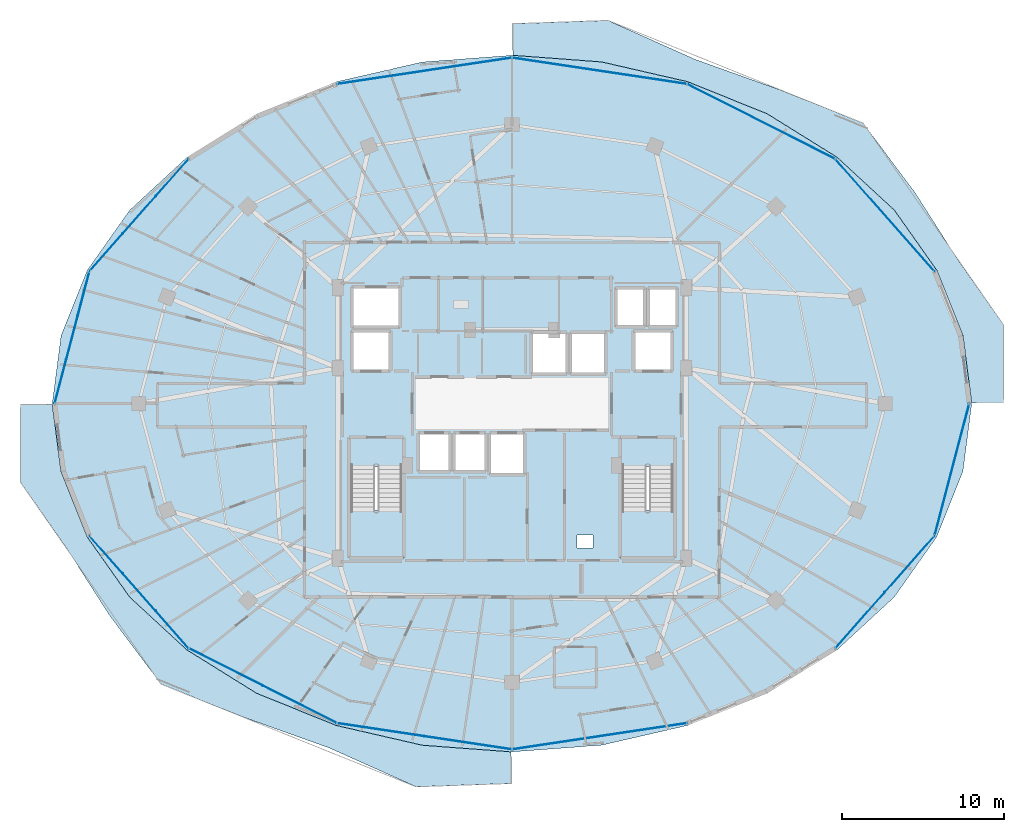
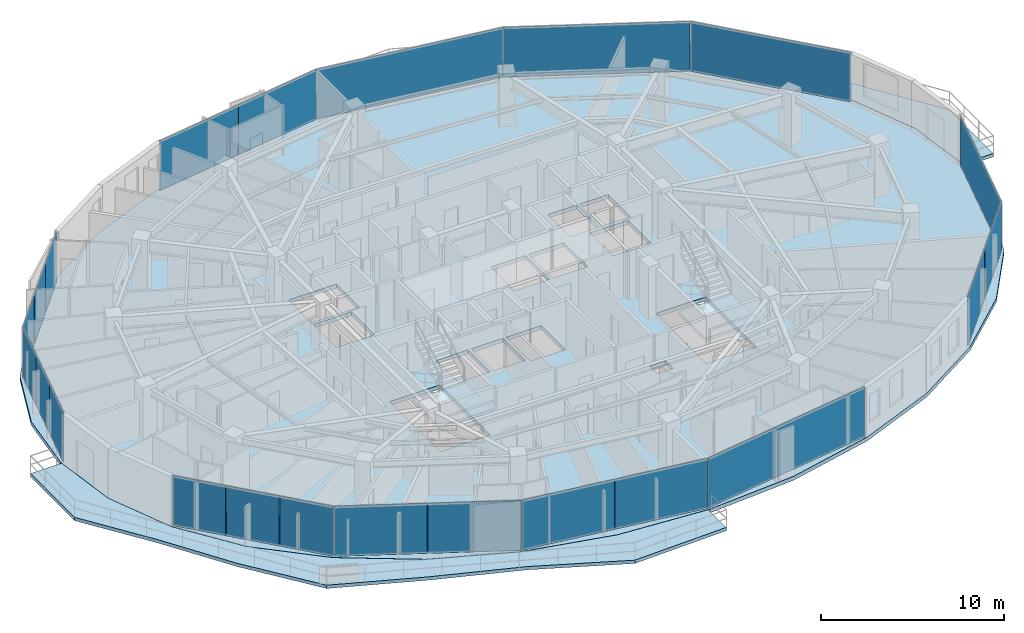
# One storey, part 23 of 33: 22 plates, 5 slabs, 6 elements without a shape of their own.
"""IFC4 building model written with IfcOpenShell, lengths in metres."""

from ifc_helpers import new_model, si_unit, direction, frame, origin, origin_2d, place, context, subcontext, project, spatial, polyline, rectangle, outline, extrude, material, layer, layer_set, type_object, element, aggregate, save


model = new_model("IFC4")

# Units and contexts
model_context = context("Model", 3, precision=1e-05, world=origin(), true_north=direction((0.0, 1.0)))
body_context = subcontext(model_context, "Body", "Model", "MODEL_VIEW")
ifc_project = project(units=[si_unit("LENGTHUNIT", "METRE"), si_unit("AREAUNIT", "SQUARE_METRE"), si_unit("VOLUMEUNIT", "CUBIC_METRE"), si_unit("PLANEANGLEUNIT", "RADIAN"), si_unit("MASSUNIT", "GRAM", prefix="KILO")], contexts=[model_context])

# Site, building, storey
site_placement = place(None, origin())
site = spatial("IfcSite", under=ifc_project, at=site_placement, CompositionType="ELEMENT")
building_placement = place(site_placement, origin())
building = spatial("IfcBuilding", under=site, at=building_placement, Name="Vorneva Point Tower", CompositionType="ELEMENT")
storey_placement = place(building_placement, frame((0.0, 0.0, 200.10009765625)))
storey = spatial("IfcBuildingStorey", under=building, at=storey_placement, Name="L54", CompositionType="ELEMENT", Elevation=200.10009765625)

# Curtain wall, plates
ifc_material_1 = material(Name="Pale anodised aluminium", Category="aluminium")
curtain_wall_type = type_object("IfcCurtainWallType", Name="CW-RES-SYS", PredefinedType="NOTDEFINED", material=ifc_material_1)
curtain_wall_1_placement = place(storey_placement, origin())
curtain_wall_1 = element("IfcCurtainWall", 1, at=curtain_wall_1_placement, inside=storey, type_object=curtain_wall_type, Name="L54 Unitised Curtain Wall CW-L54-R01", PredefinedType="NOTDEFINED")
ifc_material_2 = material(Name="Double low-e laminated glass IGU", Category="glass")
ifc_layer_1 = layer(ifc_material_2, 0.035888671875)
ifc_layer_set_1 = layer_set([ifc_layer_1], Name="Double low-e laminated glass IGU")
plate_type = type_object("IfcPlateType", Name="CW-PNL-VIS", PredefinedType="CURTAIN_PANEL", material=ifc_layer_set_1)
plate_1_placement = place(storey_placement, frame((61.021484375, 37.633544921875, -0.02001953125), z_axis=(0.0, 0.0, 1.0), x_axis=(-0.662110096764, 0.74940657841, 0.0)))
plate_1 = element("IfcPlate", 2, at=plate_1_placement, type_object=plate_type, Name="CW-L54-R01 Glazed Panel 01", PredefinedType="CURTAIN_PANEL", context=body_context, shape_type="SweptSolid", body=[
    extrude(rectangle(XDim=9.1923828125, YDim=0.035888671875, at=origin_2d()), origin(), (0.0, 0.0, 1.0), 3.330078125),
])
plate_2_placement = place(storey_placement, frame((53.38232421875, 43.410888671875, -0.02001953125), z_axis=(0.0, 0.0, 1.0), x_axis=(-0.892514983762, 0.451017742179, 0.0)))
plate_2 = element("IfcPlate", 3, at=plate_2_placement, type_object=plate_type, Name="CW-L54-R01 Glazed Panel 02", PredefinedType="CURTAIN_PANEL", context=body_context, shape_type="SweptSolid", body=[
    extrude(rectangle(XDim=10.21142578125, YDim=0.035888671875, at=origin_2d()), origin(), (0.0, 0.0, 1.0), 3.330078125),
])
plate_3_placement = place(storey_placement, frame((43.401611328125, 46.537353515625, -0.02001953125), z_axis=(0.0, 0.0, 1.0), x_axis=(-0.988873520862, 0.148758729957, 0.0)))
plate_3 = element("IfcPlate", 4, at=plate_3_placement, type_object=plate_type, Name="CW-L54-R01 Glazed Panel 03", PredefinedType="CURTAIN_PANEL", context=body_context, shape_type="SweptSolid", body=[
    extrude(rectangle(XDim=10.874755859375, YDim=0.035888671875, at=origin_2d()), origin(), (0.0, 0.0, 1.0), 3.330078125),
])
plate_4_placement = place(storey_placement, frame((35.29931640625, 46.943603515625, -0.02001953125), z_axis=(0.0, 0.0, 1.0), x_axis=(-0.988873520862, -0.148758729957, 0.0)))
plate_4 = element("IfcPlate", 5, at=plate_4_placement, type_object=plate_type, Name="CW-L54-R01 Glazed Panel 04A", PredefinedType="CURTAIN_PANEL", context=body_context, shape_type="SweptSolid", body=[
    extrude(rectangle(XDim=5.412353515625, YDim=0.035888671875, at=origin_2d()), origin(), (0.0, 0.0, 1.0), 3.330078125),
])
plate_5_placement = place(storey_placement, frame((29.897705078125, 46.131103515625, -0.02001953125), z_axis=(0.0, 0.0, 1.0), x_axis=(-0.988873520862, -0.148758729957, 0.0)))
plate_5 = element("IfcPlate", 6, at=plate_5_placement, type_object=plate_type, Name="CW-L54-R01 Glazed Panel 04B", PredefinedType="CURTAIN_PANEL", context=body_context, shape_type="SweptSolid", body=[
    extrude(rectangle(XDim=5.412353515625, YDim=0.035888671875, at=origin_2d()), origin(), (0.0, 0.0, 1.0), 3.330078125),
])
aggregate(curtain_wall_1, [plate_1, plate_2, plate_3, plate_4, plate_5])

curtain_wall_2_placement = place(storey_placement, origin())
curtain_wall_2 = element("IfcCurtainWall", 7, at=curtain_wall_2_placement, inside=storey, type_object=curtain_wall_type, Name="L54 Unitised Curtain Wall CW-L54-R02", PredefinedType="NOTDEFINED")
plate_6_placement = place(storey_placement, frame((17.0185546875, 39.9423828125, -0.02001953125), z_axis=(0.0, 0.0, 1.0), x_axis=(-0.662110096764, -0.74940657841, 0.0)))
plate_6 = element("IfcPlate", 8, at=plate_6_placement, type_object=plate_type, Name="CW-L54-R02 Glazed Panel 01A", PredefinedType="CURTAIN_PANEL", context=body_context, shape_type="SweptSolid", body=[
    extrude(rectangle(XDim=3.03076171875, YDim=0.035888671875, at=origin_2d()), origin(), (0.0, 0.0, 1.0), 3.330078125),
])
plate_7_placement = place(storey_placement, frame((14.978759765625, 37.633544921875, -0.02001953125), z_axis=(0.0, 0.0, 1.0), x_axis=(-0.662110096764, -0.74940657841, 0.0)))
plate_7 = element("IfcPlate", 9, at=plate_7_placement, type_object=plate_type, Name="CW-L54-R02 Glazed Panel 01B", PredefinedType="CURTAIN_PANEL", context=body_context, shape_type="SweptSolid", body=[
    extrude(rectangle(XDim=3.03076171875, YDim=0.035888671875, at=origin_2d()), origin(), (0.0, 0.0, 1.0), 3.330078125),
])
plate_8_placement = place(storey_placement, frame((12.938720703125, 35.32470703125, -0.02001953125), z_axis=(0.0, 0.0, 1.0), x_axis=(-0.662110096764, -0.74940657841, 0.0)))
plate_8 = element("IfcPlate", 10, at=plate_8_placement, type_object=plate_type, Name="CW-L54-R02 Glazed Panel 01C", PredefinedType="CURTAIN_PANEL", context=body_context, shape_type="SweptSolid", body=[
    extrude(rectangle(XDim=3.03076171875, YDim=0.035888671875, at=origin_2d()), origin(), (0.0, 0.0, 1.0), 3.330078125),
])
plate_9_placement = place(storey_placement, frame((11.560791015625, 32.80859375, -0.02001953125), z_axis=(0.0, 0.0, 1.0), x_axis=(-0.254365646708, -0.967108121036, 0.0)))
plate_9 = element("IfcPlate", 11, at=plate_9_placement, type_object=plate_type, Name="CW-L54-R02 Glazed Panel 02A", PredefinedType="CURTAIN_PANEL", context=body_context, shape_type="SweptSolid", body=[
    extrude(rectangle(XDim=2.76611328125, YDim=0.035888671875, at=origin_2d()), origin(), (0.0, 0.0, 1.0), 3.330078125),
])
plate_10_placement = place(storey_placement, frame((10.844482421875, 30.085205078125, -0.02001953125), z_axis=(0.0, 0.0, 1.0), x_axis=(-0.254365646708, -0.967108121036, 0.0)))
plate_10 = element("IfcPlate", 12, at=plate_10_placement, type_object=plate_type, Name="CW-L54-R02 Glazed Panel 02B", PredefinedType="CURTAIN_PANEL", context=body_context, shape_type="SweptSolid", body=[
    extrude(rectangle(XDim=2.76611328125, YDim=0.035888671875, at=origin_2d()), origin(), (0.0, 0.0, 1.0), 3.330078125),
])
plate_11_placement = place(storey_placement, frame((10.128173828125, 27.36181640625, -0.02001953125), z_axis=(0.0, 0.0, 1.0), x_axis=(-0.254365646708, -0.967108121036, 0.0)))
plate_11 = element("IfcPlate", 13, at=plate_11_placement, type_object=plate_type, Name="CW-L54-R02 Glazed Panel 02C", PredefinedType="CURTAIN_PANEL", context=body_context, shape_type="SweptSolid", body=[
    extrude(rectangle(XDim=2.76611328125, YDim=0.035888671875, at=origin_2d()), origin(), (0.0, 0.0, 1.0), 3.330078125),
])
aggregate(curtain_wall_2, [plate_6, plate_7, plate_8, plate_9, plate_10, plate_11])

curtain_wall_3_placement = place(storey_placement, origin())
curtain_wall_3 = element("IfcCurtainWall", 14, at=curtain_wall_3_placement, inside=storey, type_object=curtain_wall_type, Name="L54 Unitised Curtain Wall CW-L54-R03", PredefinedType="NOTDEFINED")
plate_12_placement = place(storey_placement, frame((12.938720703125, 16.67529296875, -0.02001953125), z_axis=(0.0, 0.0, 1.0), x_axis=(0.662110096764, -0.74940657841, 0.0)))
plate_12 = element("IfcPlate", 15, at=plate_12_placement, type_object=plate_type, Name="CW-L54-R03 Glazed Panel 01A", PredefinedType="CURTAIN_PANEL", context=body_context, shape_type="SweptSolid", body=[
    extrude(rectangle(XDim=3.03076171875, YDim=0.035888671875, at=origin_2d()), origin(), (0.0, 0.0, 1.0), 3.330078125),
])
plate_13_placement = place(storey_placement, frame((14.978759765625, 14.366455078125, -0.02001953125), z_axis=(0.0, 0.0, 1.0), x_axis=(0.662110096764, -0.74940657841, 0.0)))
plate_13 = element("IfcPlate", 16, at=plate_13_placement, type_object=plate_type, Name="CW-L54-R03 Glazed Panel 01B", PredefinedType="CURTAIN_PANEL", context=body_context, shape_type="SweptSolid", body=[
    extrude(rectangle(XDim=3.03076171875, YDim=0.035888671875, at=origin_2d()), origin(), (0.0, 0.0, 1.0), 3.330078125),
])
plate_14_placement = place(storey_placement, frame((17.0185546875, 12.0576171875, -0.02001953125), z_axis=(0.0, 0.0, 1.0), x_axis=(0.662110096764, -0.74940657841, 0.0)))
plate_14 = element("IfcPlate", 17, at=plate_14_placement, type_object=plate_type, Name="CW-L54-R03 Glazed Panel 01C", PredefinedType="CURTAIN_PANEL", context=body_context, shape_type="SweptSolid", body=[
    extrude(rectangle(XDim=3.03076171875, YDim=0.035888671875, at=origin_2d()), origin(), (0.0, 0.0, 1.0), 3.330078125),
])
plate_15_placement = place(storey_placement, frame((20.327880859375, 9.746337890625, -0.02001953125), z_axis=(0.0, 0.0, 1.0), x_axis=(0.892514983762, -0.451017742179, 0.0)))
plate_15 = element("IfcPlate", 18, at=plate_15_placement, type_object=plate_type, Name="CW-L54-R03 Glazed Panel 02A", PredefinedType="CURTAIN_PANEL", context=body_context, shape_type="SweptSolid", body=[
    extrude(rectangle(XDim=5.080810546875, YDim=0.035888671875, at=origin_2d()), origin(), (0.0, 0.0, 1.0), 3.330078125),
])
plate_16_placement = place(storey_placement, frame((24.9072265625, 7.43212890625, -0.02001953125), z_axis=(0.0, 0.0, 1.0), x_axis=(0.892514983762, -0.451017742179, 0.0)))
plate_16 = element("IfcPlate", 19, at=plate_16_placement, type_object=plate_type, Name="CW-L54-R03 Glazed Panel 02B", PredefinedType="CURTAIN_PANEL", context=body_context, shape_type="SweptSolid", body=[
    extrude(rectangle(XDim=5.080810546875, YDim=0.035888671875, at=origin_2d()), origin(), (0.0, 0.0, 1.0), 3.330078125),
])
plate_17_placement = place(storey_placement, frame((29.897705078125, 5.868896484375, -0.02001953125), z_axis=(0.0, 0.0, 1.0), x_axis=(0.988873520862, -0.148758729957, 0.0)))
plate_17 = element("IfcPlate", 20, at=plate_17_placement, type_object=plate_type, Name="CW-L54-R03 Glazed Panel 03A", PredefinedType="CURTAIN_PANEL", context=body_context, shape_type="SweptSolid", body=[
    extrude(rectangle(XDim=5.412353515625, YDim=0.035888671875, at=origin_2d()), origin(), (0.0, 0.0, 1.0), 3.330078125),
])
plate_18_placement = place(storey_placement, frame((35.29931640625, 5.056396484375, -0.02001953125), z_axis=(0.0, 0.0, 1.0), x_axis=(0.988873520862, -0.148758729957, 0.0)))
plate_18 = element("IfcPlate", 21, at=plate_18_placement, type_object=plate_type, Name="CW-L54-R03 Glazed Panel 03B", PredefinedType="CURTAIN_PANEL", context=body_context, shape_type="SweptSolid", body=[
    extrude(rectangle(XDim=5.412353515625, YDim=0.035888671875, at=origin_2d()), origin(), (0.0, 0.0, 1.0), 3.330078125),
])
plate_19_placement = place(storey_placement, frame((43.401611328125, 5.462646484375, -0.02001953125), z_axis=(0.0, 0.0, 1.0), x_axis=(0.988873520862, 0.148758729957, 0.0)))
plate_19 = element("IfcPlate", 22, at=plate_19_placement, type_object=plate_type, Name="CW-L54-R03 Glazed Panel 04", PredefinedType="CURTAIN_PANEL", context=body_context, shape_type="SweptSolid", body=[
    extrude(rectangle(XDim=10.874755859375, YDim=0.035888671875, at=origin_2d()), origin(), (0.0, 0.0, 1.0), 3.330078125),
])
aggregate(curtain_wall_3, [plate_12, plate_13, plate_14, plate_15, plate_16, plate_17, plate_18, plate_19])

curtain_wall_4_placement = place(storey_placement, origin())
curtain_wall_4 = element("IfcCurtainWall", 23, at=curtain_wall_4_placement, inside=storey, type_object=curtain_wall_type, Name="L54 Unitised Curtain Wall CW-L54-R04", PredefinedType="NOTDEFINED")
plate_20_placement = place(storey_placement, frame((59.491455078125, 12.635009765625, -0.02001953125), z_axis=(0.0, 0.0, 1.0), x_axis=(0.662110096764, 0.74940657841, 0.0)))
plate_20 = element("IfcPlate", 24, at=plate_20_placement, type_object=plate_type, Name="CW-L54-R04 Glazed Panel 01A", PredefinedType="CURTAIN_PANEL", context=body_context, shape_type="SweptSolid", body=[
    extrude(rectangle(XDim=4.5712890625, YDim=0.035888671875, at=origin_2d()), origin(), (0.0, 0.0, 1.0), 3.330078125),
])
plate_21_placement = place(storey_placement, frame((62.55126953125, 16.09814453125, -0.02001953125), z_axis=(0.0, 0.0, 1.0), x_axis=(0.662110096764, 0.74940657841, 0.0)))
plate_21 = element("IfcPlate", 25, at=plate_21_placement, type_object=plate_type, Name="CW-L54-R04 Glazed Panel 01B", PredefinedType="CURTAIN_PANEL", context=body_context, shape_type="SweptSolid", body=[
    extrude(rectangle(XDim=4.5712890625, YDim=0.035888671875, at=origin_2d()), origin(), (0.0, 0.0, 1.0), 3.330078125),
])
plate_22_placement = place(storey_placement, frame((65.155517578125, 21.914794921875, -0.02001953125), z_axis=(0.0, 0.0, 1.0), x_axis=(0.254365646708, 0.967108121036, 0.0)))
plate_22 = element("IfcPlate", 26, at=plate_22_placement, type_object=plate_type, Name="CW-L54-R04 Glazed Panel 02", PredefinedType="CURTAIN_PANEL", context=body_context, shape_type="SweptSolid", body=[
    extrude(rectangle(XDim=8.398193359375, YDim=0.035888671875, at=origin_2d()), origin(), (0.0, 0.0, 1.0), 3.330078125),
])
aggregate(curtain_wall_4, [plate_20, plate_21, plate_22])

# Slabs
ifc_material_3 = material(Name="Concrete B50 (C40/50)", Category="concrete")
ifc_layer_2 = layer(ifc_material_3, 0.219970703125)
ifc_layer_set_2 = layer_set([ifc_layer_2], Name="Concrete B50 (C40/50)")
slab_type_1 = type_object("IfcSlabType", Name="SLB-BAL-220", PredefinedType="FLOOR", material=ifc_layer_set_2)
slab_1_placement = place(storey_placement, frame((0.0, 0.0, -0.22021484375)))
element("IfcSlab", 27, at=slab_1_placement, inside=storey, type_object=slab_type_1, Name="L54 Cantilevered Wave Balcony NE", PredefinedType="FLOOR", context=body_context, shape_type="SweptSolid", body=[
    extrude(outline(polyline([(38.050048828125, 49.45166015625), (38.050048828125, 47.500244140625), (43.537109375, 47.0908203125), (43.537353515625, 47.0908203125), (43.53759765625, 47.0908203125), (48.861572265625, 45.8671875), (48.86181640625, 45.8671875), (48.862060546875, 45.8671875), (53.7685546875, 43.88037109375), (53.768798828125, 43.880126953125), (53.769287109375, 43.8798828125), (58.06982421875, 41.206298828125), (58.070068359375, 41.2060546875), (58.0703125, 41.205810546875), (61.599853515625, 37.94775390625), (61.60009765625, 37.947509765625), (61.600341796875, 37.947021484375), (64.222900390625, 34.22998046875), (64.22314453125, 34.2294921875), (64.223388671875, 34.229248046875), (65.83837890625, 30.19580078125), (65.83837890625, 30.195556640625), (65.838623046875, 30.1953125), (65.838623046875, 30.19482421875), (66.37744140625, 26.050048828125), (68.330078125, 26.050048828125), (68.34619140625, 30.85400390625), (65.496337890625, 34.92578125), (62.858642578125, 39.057373046875), (59.66796875, 43.315185546875), (54.52685546875, 45.37744140625), (49.296142578125, 47.251708984375), (43.923583984375, 49.654541015625), (38.050048828125, 49.45166015625)])), origin(), (0.0, 0.0, 1.0), 0.22021484375),
])
slab_2_placement = place(storey_placement, frame((0.0, 0.0, -0.22021484375)))
element("IfcSlab", 28, at=slab_2_placement, inside=storey, type_object=slab_type_1, Name="L54 Cantilevered Wave Balcony SW", PredefinedType="FLOOR", context=body_context, shape_type="SweptSolid", body=[
    extrude(outline(polyline([(37.949951171875, 2.54833984375), (37.949951171875, 4.499755859375), (32.462890625, 4.9091796875), (32.462646484375, 4.9091796875), (32.46240234375, 4.9091796875), (27.138427734375, 6.1328125), (27.13818359375, 6.1328125), (27.137939453125, 6.1328125), (22.2314453125, 8.11962890625), (22.231201171875, 8.119873046875), (22.230712890625, 8.1201171875), (17.93017578125, 10.793701171875), (17.929931640625, 10.7939453125), (17.9296875, 10.794189453125), (14.400146484375, 14.05224609375), (14.39990234375, 14.052490234375), (14.399658203125, 14.052978515625), (11.777099609375, 17.77001953125), (11.77685546875, 17.7705078125), (11.776611328125, 17.770751953125), (10.16162109375, 21.80419921875), (10.16162109375, 21.804443359375), (10.161376953125, 21.8046875), (10.161376953125, 21.80517578125), (9.62255859375, 25.949951171875), (7.669921875, 25.949951171875), (7.65380859375, 21.14599609375), (10.503662109375, 17.07421875), (13.141357421875, 12.942626953125), (16.33203125, 8.684814453125), (21.47314453125, 6.62255859375), (26.703857421875, 4.748291015625), (32.076416015625, 2.345458984375), (37.949951171875, 2.54833984375)])), origin(), (0.0, 0.0, 1.0), 0.22021484375),
])

# Stair, slab
stair_type = type_object("IfcStairType", Name="ST-DOG-1500", PredefinedType="HALF_TURN_STAIR", material=ifc_material_3)
stair_1_placement = place(storey_placement, origin())
stair_1 = element("IfcStair", 29, at=stair_1_placement, inside=storey, type_object=stair_type, Name="L54 ST1", PredefinedType="HALF_TURN_STAIR")
ifc_layer_3 = layer(ifc_material_3, 0.199951171875)
ifc_layer_set_3 = layer_set([ifc_layer_3], Name="Concrete B50 (C40/50)")
slab_type_2 = type_object("IfcSlabType", Name="SLB-LND-200", PredefinedType="LANDING", material=ifc_layer_set_3)
slab_3_placement = place(storey_placement, frame((0.0, 0.0, 1.574951171875)))
slab_3 = element("IfcSlab", 30, at=slab_3_placement, type_object=slab_type_2, Name="ST1 landing 1", PredefinedType="LANDING", context=body_context, shape_type="SweptSolid", body=[
    extrude(outline(polyline([(27.929931640625, 16.47998046875), (31.320068359375, 16.47998046875), (31.320068359375, 19.43994140625), (27.929931640625, 19.43994140625), (27.929931640625, 16.47998046875)])), origin(), (0.0, 0.0, 1.0), 0.199951171875),
])
aggregate(stair_1, [slab_3])

stair_2_placement = place(storey_placement, origin())
stair_2 = element("IfcStair", 31, at=stair_2_placement, inside=storey, type_object=stair_type, Name="L54 ST2", PredefinedType="HALF_TURN_STAIR")
slab_4_placement = place(storey_placement, frame((0.0, 0.0, 1.574951171875)))
slab_4 = element("IfcSlab", 32, at=slab_4_placement, type_object=slab_type_2, Name="ST2 landing 1", PredefinedType="LANDING", context=body_context, shape_type="SweptSolid", body=[
    extrude(outline(polyline([(44.679931640625, 16.47998046875), (48.070068359375, 16.47998046875), (48.070068359375, 19.43994140625), (44.679931640625, 19.43994140625), (44.679931640625, 16.47998046875)])), origin(), (0.0, 0.0, 1.0), 0.199951171875),
])
aggregate(stair_2, [slab_4])

# Slab
ifc_layer_4 = layer(ifc_material_3, 0.260009765625)
ifc_layer_set_4 = layer_set([ifc_layer_4], Name="Concrete B50 (C40/50)")
slab_type_3 = type_object("IfcSlabType", Name="SLB-TYP-260", PredefinedType="FLOOR", material=ifc_layer_set_4)
slab_5_placement = place(storey_placement, frame((0.0, 0.0, -0.260009765625)))
element("IfcSlab", 33, at=slab_5_placement, inside=storey, type_object=slab_type_3, Name="L54 Structural Floor Plate", PredefinedType="FLOOR", context=body_context, shape_type="SweptSolid", body=[
    extrude(outline(polyline([(66.3798828125, 26.0), (65.834716796875, 30.1943359375), (64.2197265625, 34.227783203125), (61.59716796875, 37.94482421875), (58.067626953125, 41.202880859375), (53.76708984375, 43.876708984375), (48.860595703125, 45.86328125), (43.53662109375, 47.0869140625), (38.0, 47.5), (32.46337890625, 47.0869140625), (27.139404296875, 45.86328125), (22.23291015625, 43.876708984375), (17.932373046875, 41.202880859375), (14.40283203125, 37.94482421875), (11.7802734375, 34.227783203125), (10.165283203125, 30.1943359375), (9.6201171875, 26.0), (10.165283203125, 21.8056640625), (11.7802734375, 17.772216796875), (14.40283203125, 14.05517578125), (17.932373046875, 10.797119140625), (22.23291015625, 8.123291015625), (27.139404296875, 6.13671875), (32.46337890625, 4.9130859375), (38.0, 4.5), (43.53662109375, 4.9130859375), (48.860595703125, 6.13671875), (53.76708984375, 8.123291015625), (58.067626953125, 10.797119140625), (61.59716796875, 14.05517578125), (64.2197265625, 17.772216796875), (65.834716796875, 21.8056640625), (66.3798828125, 26.0)]), holes=[polyline([(32.199951171875, 21.800048828125), (34.199951171875, 21.800048828125), (34.199951171875, 24.199951171875), (32.199951171875, 24.199951171875), (32.199951171875, 21.800048828125)]), polyline([(34.39990234375, 21.800048828125), (36.39990234375, 21.800048828125), (36.39990234375, 24.199951171875), (34.39990234375, 24.199951171875), (34.39990234375, 21.800048828125)]), polyline([(36.60009765625, 21.60009765625), (38.800048828125, 21.60009765625), (38.800048828125, 24.199951171875), (36.60009765625, 24.199951171875), (36.60009765625, 21.60009765625)]), polyline([(39.199951171875, 27.800048828125), (41.39990234375, 27.800048828125), (41.39990234375, 30.39990234375), (39.199951171875, 30.39990234375), (39.199951171875, 27.800048828125)]), polyline([(41.60009765625, 27.800048828125), (43.800048828125, 27.800048828125), (43.800048828125, 30.39990234375), (41.60009765625, 30.39990234375), (41.60009765625, 27.800048828125)]), polyline([(44.39990234375, 30.739990234375), (46.199951171875, 30.739990234375), (46.199951171875, 33.159912109375), (44.39990234375, 33.159912109375), (44.39990234375, 30.739990234375)]), polyline([(46.39990234375, 30.739990234375), (48.199951171875, 30.739990234375), (48.199951171875, 33.159912109375), (46.39990234375, 33.159912109375), (46.39990234375, 30.739990234375)]), polyline([(28.10009765625, 28.0), (30.5, 28.0), (30.5, 30.5), (28.10009765625, 30.5), (28.10009765625, 28.0)]), polyline([(45.5, 28.0), (47.89990234375, 28.0), (47.89990234375, 30.5), (45.5, 30.5), (45.5, 28.0)]), polyline([(28.10009765625, 30.699951171875), (31.10009765625, 30.699951171875), (31.10009765625, 33.199951171875), (28.10009765625, 33.199951171875), (28.10009765625, 30.699951171875)]), polyline([(28.050048828125, 16.60009765625), (31.199951171875, 16.60009765625), (31.199951171875, 22.080078125), (28.050048828125, 22.080078125), (28.050048828125, 16.60009765625)]), polyline([(44.800048828125, 16.60009765625), (47.949951171875, 16.60009765625), (47.949951171875, 22.080078125), (44.800048828125, 22.080078125), (44.800048828125, 16.60009765625)]), polyline([(42.0, 17.10009765625), (43.0, 17.10009765625), (43.0, 17.89990234375), (42.0, 17.89990234375), (42.0, 17.10009765625)])]), origin(), (0.0, 0.0, 1.0), 0.260009765625),
])

save(model, "model.ifc")
